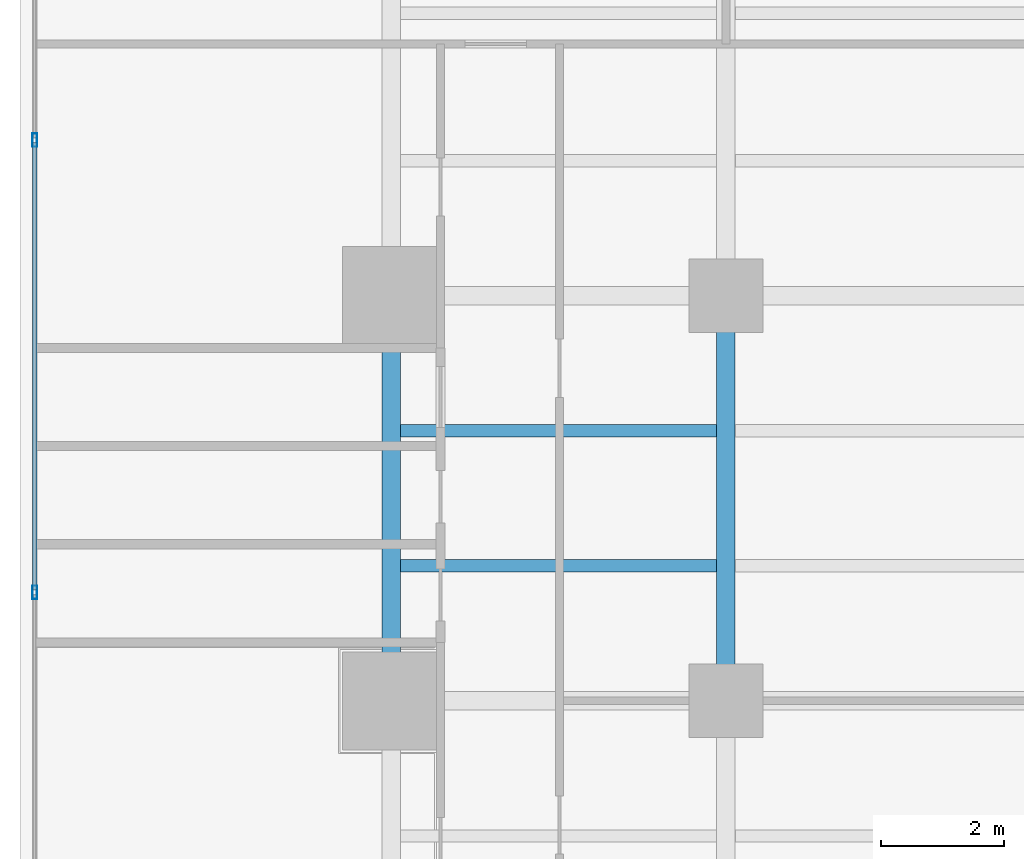
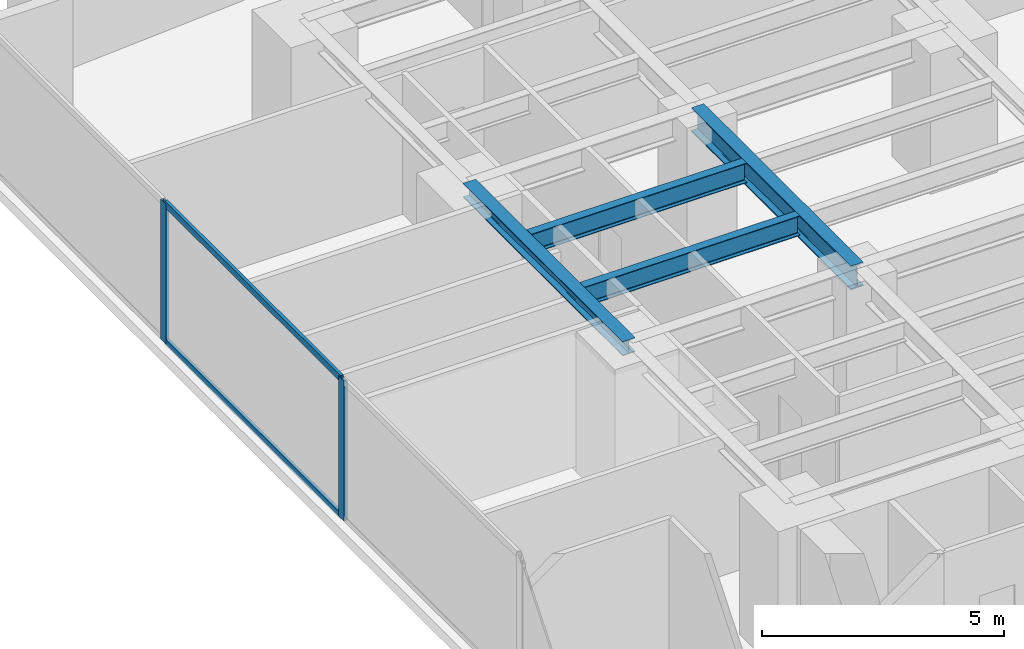
# One storey, part 15 of 31: 4 beams, 4 members, 1 element without a shape of its own.
"""IFC4 building model written with IfcOpenShell, lengths in metres."""

from ifc_helpers import new_model, si_unit, direction, frame, origin, origin_with_axes, origin_2d, place, context, subcontext, project, spatial, hollow_rectangle, i_section, extrude, source, transform, mapped, material, layer, layer_set, material_profile, profile_set, type_object, element, aggregate, save


model = new_model("IFC4")

# Units and contexts
model_context = context("Model", 3, precision=1e-05, world=origin(), true_north=direction((0.0, 1.0)))
body_context = subcontext(model_context, "Body", "Model", "MODEL_VIEW")
ifc_project = project(units=[si_unit("LENGTHUNIT", "METRE"), si_unit("AREAUNIT", "SQUARE_METRE"), si_unit("VOLUMEUNIT", "CUBIC_METRE"), si_unit("PLANEANGLEUNIT", "RADIAN"), si_unit("MASSUNIT", "GRAM", prefix="KILO")], contexts=[model_context])

# Site, building, storey
site_placement = place(None, origin())
site = spatial("IfcSite", under=ifc_project, at=site_placement, CompositionType="ELEMENT")
building_placement = place(site_placement, origin())
building = spatial("IfcBuilding", under=site, at=building_placement, Name="Kolvaren Waterfront Exchange", CompositionType="ELEMENT")
storey_placement = place(building_placement, frame((0.0, 0.0, 67.60009765625)))
storey = spatial("IfcBuildingStorey", under=building, at=storey_placement, Name="L17", CompositionType="ELEMENT", Elevation=67.60009765625)

# Beams
ifc_material_1 = material(Name="Steel S355", Category="steel")
ifc_material_profile_1 = material_profile(ifc_material_1, i_section(OverallWidth=0.300048828125, OverallDepth=0.360107421875, WebThickness=0.012451171875, FlangeThickness=0.0224609375, FilletRadius=0.027099609375, at=origin_2d()), Name="HEB360")
ifc_profile_set_1 = profile_set([ifc_material_profile_1], Name="Steel S355")
beam_type_1 = type_object("IfcBeamType", Name="STR-BM-HEB360", PredefinedType="SPANDREL", material=ifc_profile_set_1)
beam_1_placement = place(storey_placement, frame((7.449951171875, 31.199951171875, 3.35986328125), z_axis=(0.0, 1.0, 0.0), x_axis=(-1.0, 0.0, 0.0)))
element("IfcBeam", 1, at=beam_1_placement, inside=storey, type_object=beam_type_1, Name="L17 north-arm edge beam 2", PredefinedType="SPANDREL", context=body_context, shape_type="SweptSolid", body=[
    extrude(i_section(OverallWidth=0.300048828125, OverallDepth=0.360107421875, WebThickness=0.012451171875, FlangeThickness=0.0224609375, FilletRadius=0.027099609375, at=origin_2d()), origin(), (0.0, 0.0, 1.0), 6.60009765625),
])
ifc_material_profile_2 = material_profile(ifc_material_1, i_section(OverallWidth=0.300048828125, OverallDepth=0.60009765625, WebThickness=0.015380859375, FlangeThickness=0.030029296875, FilletRadius=0.027099609375, at=origin_2d()), Name="HEB600")
ifc_profile_set_2 = profile_set([ifc_material_profile_2], Name="Steel S355")
beam_type_2 = type_object("IfcBeamType", Name="STR-BM-HEB600", PredefinedType="BEAM", material=ifc_profile_set_2)
beam_2_placement = place(storey_placement, frame((12.89990234375, 31.199951171875, 3.239990234375), z_axis=(0.0, 1.0, 0.0), x_axis=(-1.0, 0.0, 0.0)))
element("IfcBeam", 2, at=beam_2_placement, inside=storey, type_object=beam_type_2, Name="L17 north-arm edge beam 2", PredefinedType="BEAM", context=body_context, shape_type="SweptSolid", body=[
    extrude(i_section(OverallWidth=0.300048828125, OverallDepth=0.60009765625, WebThickness=0.015380859375, FlangeThickness=0.030029296875, FilletRadius=0.027099609375, at=origin_2d()), origin(), (0.0, 0.0, 1.0), 6.60009765625),
])
ifc_material_profile_3 = material_profile(ifc_material_1, i_section(OverallWidth=0.199951171875, OverallDepth=0.5, WebThickness=0.01025390625, FlangeThickness=0.01611328125, FilletRadius=0.02099609375, at=origin_2d()), Name="IPE500")
ifc_profile_set_3 = profile_set([ifc_material_profile_3], Name="Steel S355")
beam_type_3 = type_object("IfcBeamType", Name="STR-BM-IPE500", PredefinedType="JOIST", material=ifc_profile_set_3)
for number, where, z_axis, x_axis, name in (
    (3, (7.60205078125, 33.39990234375, 3.289794921875), (1.0, 0.0, 0.0), (0.0, 1.0, 0.0), "L17 north-arm composite joist 3A"),
    (4, (7.60205078125, 35.60009765625, 3.289794921875), (1.0, 0.0, 0.0), (0.0, 1.0, 0.0), "L17 north-arm composite joist 4A"),
):
    element("IfcBeam", number, at=place(storey_placement, frame(where, z_axis=z_axis, x_axis=x_axis)), inside=storey, type_object=beam_type_3, Name=name, PredefinedType="JOIST", context=body_context, shape_type="SweptSolid", body=[
        extrude(i_section(OverallWidth=0.199951171875, OverallDepth=0.5, WebThickness=0.01025390625, FlangeThickness=0.01611328125, FilletRadius=0.02099609375, at=origin_2d()), origin(), (0.0, 0.0, 1.0), 5.14599609375),
    ])

# Curtain wall, members
ifc_material_2 = material(Name="Anodised aluminium 6063-T6", Category="aluminium")
ifc_layer = layer(ifc_material_2, 0.219970703125, Name="Anodised aluminium 6063-T6")
ifc_layer_set = layer_set([ifc_layer], Name="Anodised aluminium 6063-T6")
curtain_wall_type = type_object("IfcCurtainWallType", Name="ARC-CW-SYS2", PredefinedType="USERDEFINED", material=ifc_layer_set)
curtain_wall_placement = place(storey_placement, origin())
curtain_wall = element("IfcCurtainWall", 5, at=curtain_wall_placement, inside=storey, type_object=curtain_wall_type, Name="L17 stick curtain wall CW2 (CW-L17-W)", ObjectType="STICK CURTAIN WALL", PredefinedType="USERDEFINED")
ifc_material_profile_4 = material_profile(ifc_material_2, hollow_rectangle(XDim=0.080078125, YDim=0.219970703125, WallThickness=0.0048828125, at=origin_2d()), Name="ALU-MUL-220x80x5")
ifc_profile_set_4 = profile_set([ifc_material_profile_4], Name="Anodised aluminium 6063-T6")
member_type_1 = type_object("IfcMemberType", Name="ARC-CWM-220", PredefinedType="MULLION", material=ifc_profile_set_4)
shared_shape_1 = source(origin_with_axes(), body_context, "Body", "SweptSolid", [
    extrude(hollow_rectangle(XDim=0.080078125, YDim=0.219970703125, WallThickness=0.0048828125, at=origin_2d()), origin(), (0.0, 0.0, 1.0), 3.539794921875),
])
member_1_placement = place(storey_placement, frame((1.639892578125, 32.966552734375, 0.0), z_axis=(0.0, 0.0, 1.0), x_axis=(-1.0, 0.0, 0.0)))
member_1 = element("IfcMember", 6, at=member_1_placement, type_object=member_type_1, Name="CW2 mullion 5", PredefinedType="MULLION", context=body_context, shape_type="MappedRepresentation", body=[
    mapped(shared_shape_1, transform((0.0, 0.0, 0.0), x_axis=(1.0, 0.0, 0.0), y_axis=(0.0, 1.0, 0.0), z_axis=(0.0, 0.0, 1.0), scale=1.0)),
])
member_2_placement = place(storey_placement, frame((1.639892578125, 40.333251953125, 0.0), z_axis=(0.0, 0.0, 1.0), x_axis=(-1.0, 0.0, 0.0)))
member_2 = element("IfcMember", 7, at=member_2_placement, type_object=member_type_1, Name="CW2 mullion 6", PredefinedType="MULLION", context=body_context, shape_type="MappedRepresentation", body=[
    mapped(shared_shape_1, transform((0.0, 0.0, 0.0), x_axis=(1.0, 0.0, 0.0), y_axis=(0.0, 1.0, 0.0), z_axis=(0.0, 0.0, 1.0), scale=1.0)),
])
ifc_material_profile_5 = material_profile(ifc_material_2, hollow_rectangle(XDim=0.074951171875, YDim=0.159912109375, WallThickness=0.00439453125, at=origin_2d()), Name="ALU-TRN-160x75x4.5")
ifc_profile_set_5 = profile_set([ifc_material_profile_5], Name="Anodised aluminium 6063-T6")
member_type_2 = type_object("IfcMemberType", Name="ARC-CWT-160", PredefinedType="USERDEFINED", material=ifc_profile_set_5)
shared_shape_2 = source(origin_with_axes(), body_context, "Body", "SweptSolid", [
    extrude(hollow_rectangle(XDim=0.074951171875, YDim=0.159912109375, WallThickness=0.00439453125, at=origin_2d()), origin(), (0.0, 0.0, 1.0), 7.28662109375),
])
member_3_placement = place(storey_placement, frame((1.639892578125, 33.006591796875, 0.037353515625), z_axis=(0.0, 1.0, 0.0), x_axis=(-1.0, 0.0, 0.0)))
member_3 = element("IfcMember", 8, at=member_3_placement, type_object=member_type_2, Name="CW2 transom 5.1", ObjectType="TRANSOM", PredefinedType="USERDEFINED", context=body_context, shape_type="MappedRepresentation", body=[
    mapped(shared_shape_2, transform((0.0, 0.0, 0.0), x_axis=(1.0, 0.0, 0.0), y_axis=(0.0, 1.0, 0.0), z_axis=(0.0, 0.0, 1.0), scale=1.0)),
])
member_4_placement = place(storey_placement, frame((1.639892578125, 33.006591796875, 3.50244140625), z_axis=(0.0, 1.0, 0.0), x_axis=(-1.0, 0.0, 0.0)))
member_4 = element("IfcMember", 9, at=member_4_placement, type_object=member_type_2, Name="CW2 transom 5.2", ObjectType="TRANSOM", PredefinedType="USERDEFINED", context=body_context, shape_type="MappedRepresentation", body=[
    mapped(shared_shape_2, transform((0.0, 0.0, 0.0), x_axis=(1.0, 0.0, 0.0), y_axis=(0.0, 1.0, 0.0), z_axis=(0.0, 0.0, 1.0), scale=1.0)),
])
aggregate(curtain_wall, [member_1, member_2, member_3, member_4])

save(model, "model.ifc")
